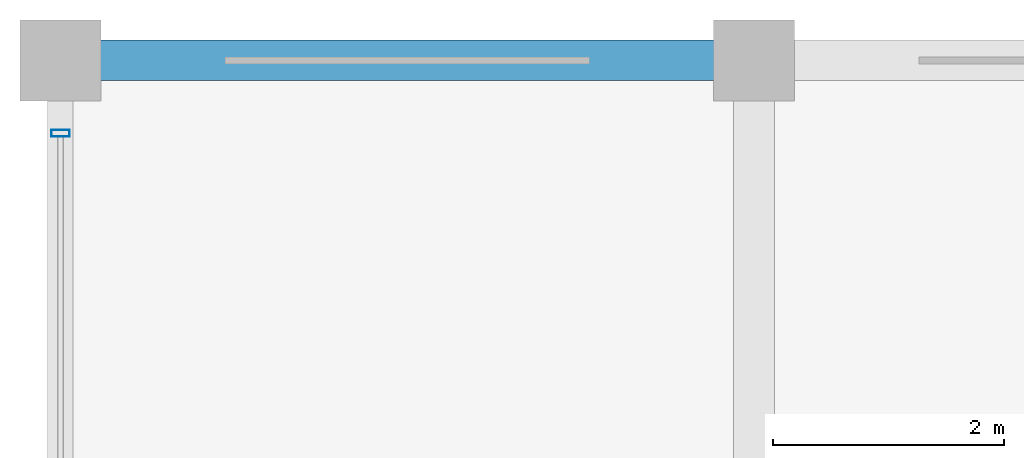
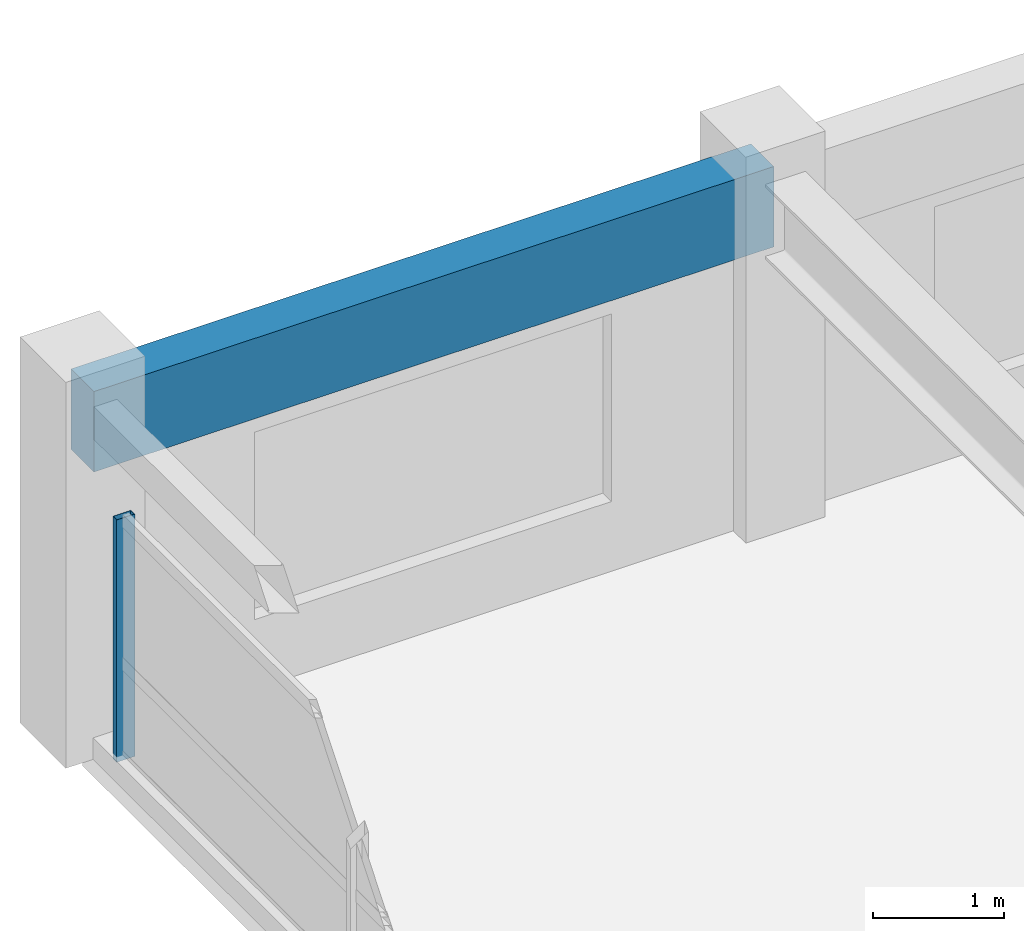
# One storey, part 15 of 22: 1 beam, 1 member, 1 element without a shape of its own.
"""IFC4 building model written with IfcOpenShell, lengths in metres."""

from ifc_helpers import new_model, si_unit, direction, frame, origin, origin_2d, place, context, subcontext, project, spatial, rectangle, hollow_rectangle, extrude, material, material_profile, profile_set, type_object, element, aggregate, save


model = new_model("IFC4")

# Units and contexts
model_context = context("Model", 3, precision=1e-05, world=origin(), true_north=direction((0.0, 1.0)))
body_context = subcontext(model_context, "Body", "Model", "MODEL_VIEW")
ifc_project = project(units=[si_unit("LENGTHUNIT", "METRE"), si_unit("AREAUNIT", "SQUARE_METRE"), si_unit("VOLUMEUNIT", "CUBIC_METRE"), si_unit("PLANEANGLEUNIT", "RADIAN"), si_unit("MASSUNIT", "GRAM", prefix="KILO")], contexts=[model_context])

# Site, building, storey
site_placement = place(None, origin())
site = spatial("IfcSite", under=ifc_project, at=site_placement, CompositionType="ELEMENT")
building_placement = place(site_placement, origin())
building = spatial("IfcBuilding", under=site, at=building_placement, Name="Kaldorvane Square Convention Centre", CompositionType="ELEMENT")
storey_placement = place(building_placement, frame((0.0, 0.0, 63.600006103515625)))
storey = spatial("IfcBuildingStorey", under=building, at=storey_placement, Name="L15", CompositionType="ELEMENT", Elevation=63.600006103515625)

# Beam
ifc_material_1 = material(Name="Concrete f'c = 42 MPa (Normalweight)", Category="concrete")
ifc_material_profile_1 = material_profile(ifc_material_1, rectangle(XDim=0.350006103515625, YDim=0.75, at=origin_2d()), Name="RCSP750X350")
ifc_profile_set_1 = profile_set([ifc_material_profile_1], Name="Concrete f'c = 42 MPa (Normalweight)")
beam_type = type_object("IfcBeamType", Name="BM-SP-RC750", PredefinedType="SPANDREL", material=ifc_profile_set_1)
beam_placement = place(storey_placement, frame((36.0, 117.0, 2.9109954833984375), z_axis=(1.0, 0.0, 0.0), x_axis=(0.0, 1.0, 0.0)))
element("IfcBeam", 1, at=beam_placement, inside=storey, type_object=beam_type, Name="Perimeter Spandrel (L15)", PredefinedType="SPANDREL", context=body_context, shape_type="SweptSolid", body=[
    extrude(rectangle(XDim=0.350006103515625, YDim=0.75, at=origin_2d()), origin(), (0.0, 0.0, 1.0), 6.0),
])

# Curtain wall, member
ifc_material_2 = material(Name="Anodized Aluminum and Low-E Insulated Glazing", Category="aluminium")
curtain_wall_type = type_object("IfcCurtainWallType", Name="CW-UNI-HTL-B", PredefinedType="USERDEFINED", material=ifc_material_2)
curtain_wall_placement = place(storey_placement, origin())
curtain_wall = element("IfcCurtainWall", 2, at=curtain_wall_placement, inside=storey, type_object=curtain_wall_type, Name="Curtain Wall CW-11 (L15)", ObjectType="UNITISED GLAZING", PredefinedType="USERDEFINED")
ifc_material_profile_2 = material_profile(ifc_material_2, hollow_rectangle(XDim=0.05999755859375, YDim=0.160003662109375, WallThickness=0.003204345703125, at=origin_2d()), Name="CWM-160X60")
ifc_profile_set_2 = profile_set([ifc_material_profile_2], Name="Anodized Aluminum and Low-E Insulated Glazing")
member_type = type_object("IfcMemberType", Name="CW-MUL-160", PredefinedType="MULLION", material=ifc_profile_set_2)
member_placement = place(storey_placement, frame((36.0, 116.3699951171875, 0.149993896484375), z_axis=(0.0, 0.0, 1.0), x_axis=(0.0, -1.0, 0.0)))
member = element("IfcMember", 3, at=member_placement, type_object=member_type, Name="CW-11 mullion 1", PredefinedType="MULLION", context=body_context, shape_type="SweptSolid", body=[
    extrude(hollow_rectangle(XDim=0.05999755859375, YDim=0.160003662109375, WallThickness=0.003204345703125, at=origin_2d()), origin(), (0.0, 0.0, 1.0), 2.2599945068359375),
])
aggregate(curtain_wall, [member])

save(model, "model.ifc")
